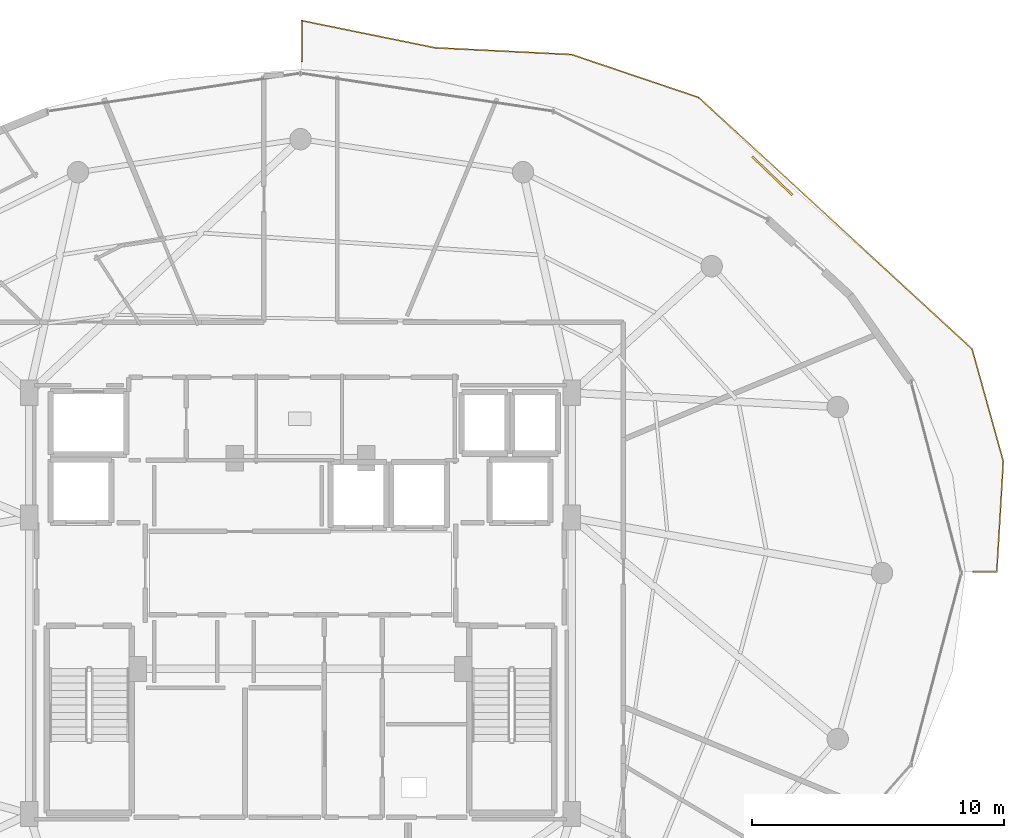
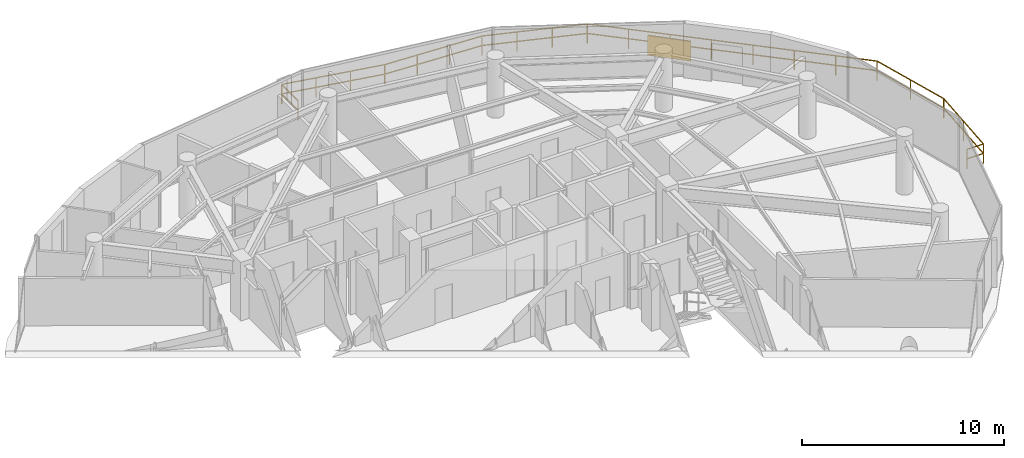
# One storey, part 29 of 30: 2 railings, 1 shading device.
"""IFC4 building model written with IfcOpenShell, lengths in metres."""

from ifc_helpers import new_model, si_unit, direction, frame, origin, origin_2d, place, context, subcontext, project, spatial, rectangle, extrude, material, type_object, element, save


model = new_model("IFC4")

# Units and contexts
model_context = context("Model", 3, precision=1e-05, world=origin(), true_north=direction((0.0, 1.0)))
body_context = subcontext(model_context, "Body", "Model", "MODEL_VIEW")
ifc_project = project(units=[si_unit("LENGTHUNIT", "METRE"), si_unit("AREAUNIT", "SQUARE_METRE"), si_unit("VOLUMEUNIT", "CUBIC_METRE"), si_unit("PLANEANGLEUNIT", "RADIAN"), si_unit("MASSUNIT", "GRAM", prefix="KILO")], contexts=[model_context])

# Site, building, storey
site_placement = place(None, origin())
site = spatial("IfcSite", under=ifc_project, at=site_placement, CompositionType="ELEMENT")
building_placement = place(site_placement, origin())
building = spatial("IfcBuilding", under=site, at=building_placement, Name="Vorneva Point Tower", CompositionType="ELEMENT")
storey_placement = place(building_placement, frame((0.0, 0.0, 252.0)))
storey = spatial("IfcBuildingStorey", under=building, at=storey_placement, Name="L68", CompositionType="ELEMENT", Elevation=252.0)

# Railings
ifc_material = material(Name="Pale anodised aluminium", Category="aluminium")
railing_type = type_object("IfcRailingType", Name="RL-BAL-1200", PredefinedType="BALUSTRADE", material=ifc_material)
railing_1_placement = place(storey_placement, frame((38.050048828125, 47.89990234375, 0.0)))
element("IfcRailing", 1, at=railing_1_placement, inside=storey, type_object=railing_type, Name="L68 Wave Balcony Balustrade NE.1", PredefinedType="BALUSTRADE", context=body_context, shape_type="SweptSolid", body=[
    extrude(rectangle(XDim=0.048095703125, YDim=0.048095703125, at=origin_2d()), frame((0.0, 0.0, 1.17578125), z_axis=(0.0, -1.0, 0.0), x_axis=(1.0, 0.0, 0.0)), (0.0, 0.0, 1.0), 1.622802734375),
    extrude(rectangle(XDim=0.048095703125, YDim=0.048095703125, at=origin_2d()), frame((0.0, 0.0, 0.60009765625), z_axis=(0.0, -1.0, 0.0), x_axis=(1.0, 0.0, 0.0)), (0.0, 0.0, 1.0), 1.622802734375),
    extrude(rectangle(XDim=0.0419921875, YDim=0.0419921875, at=origin_2d()), origin(), (0.0, 0.0, 1.0), 1.15185546875),
    extrude(rectangle(XDim=0.0419921875, YDim=0.0419921875, at=origin_2d()), frame((0.0, -1.622802734375, 0.0)), (0.0, 0.0, 1.0), 1.15185546875),
])
railing_2_placement = place(storey_placement, frame((64.666259765625, 26.050048828125, 0.0)))
element("IfcRailing", 2, at=railing_2_placement, inside=storey, type_object=railing_type, Name="L68 Wave Balcony Balustrade NE.2", PredefinedType="BALUSTRADE", context=body_context, shape_type="SweptSolid", body=[
    extrude(rectangle(XDim=0.048095703125, YDim=0.048095703125, at=origin_2d()), frame((0.0, 0.0, 1.17578125), z_axis=(1.0, 0.0, 0.0), x_axis=(0.0, 1.0, 0.0)), (0.0, 0.0, 1.0), 0.936767578125),
    extrude(rectangle(XDim=0.048095703125, YDim=0.048095703125, at=origin_2d()), frame((0.0, 0.0, 0.60009765625), z_axis=(1.0, 0.0, 0.0), x_axis=(0.0, 1.0, 0.0)), (0.0, 0.0, 1.0), 0.936767578125),
    extrude(rectangle(XDim=0.048095703125, YDim=0.048095703125, at=origin_2d()), frame((0.936767578125, 0.0, 1.17578125), z_axis=(0.059061709843, 0.998254333539, 0.0), x_axis=(-0.998254333539, 0.059061709843, 0.0)), (0.0, 0.0, 1.0), 4.381591796875),
    extrude(rectangle(XDim=0.048095703125, YDim=0.048095703125, at=origin_2d()), frame((0.936767578125, 0.0, 0.60009765625), z_axis=(0.059061709843, 0.998254333539, 0.0), x_axis=(-0.998254333539, 0.059061709843, 0.0)), (0.0, 0.0, 1.0), 4.381591796875),
    extrude(rectangle(XDim=0.048095703125, YDim=0.048095703125, at=origin_2d()), frame((1.195556640625, 4.3740234375, 1.17578125), z_axis=(-0.267706425434, 0.963500529207, 0.0), x_axis=(-0.963500529207, -0.267706425434, 0.0)), (0.0, 0.0, 1.0), 4.629150390625),
    extrude(rectangle(XDim=0.048095703125, YDim=0.048095703125, at=origin_2d()), frame((1.195556640625, 4.3740234375, 0.60009765625), z_axis=(-0.267706425434, 0.963500529207, 0.0), x_axis=(-0.963500529207, -0.267706425434, 0.0)), (0.0, 0.0, 1.0), 4.629150390625),
    extrude(rectangle(XDim=0.048095703125, YDim=0.048095703125, at=origin_2d()), frame((-0.043701171875, 8.834228515625, 1.17578125), z_axis=(-0.735988825116, 0.676993684833, 0.0), x_axis=(-0.676993684833, -0.735988825116, 0.0)), (0.0, 0.0, 1.0), 14.728271484375),
    extrude(rectangle(XDim=0.048095703125, YDim=0.048095703125, at=origin_2d()), frame((-0.043701171875, 8.834228515625, 0.60009765625), z_axis=(-0.735988825116, 0.676993684833, 0.0), x_axis=(-0.676993684833, -0.735988825116, 0.0)), (0.0, 0.0, 1.0), 14.728271484375),
    extrude(rectangle(XDim=0.048095703125, YDim=0.048095703125, at=origin_2d()), frame((-10.883544921875, 18.80517578125, 1.17578125), z_axis=(-0.947356664251, 0.320180184737, 0.0), x_axis=(-0.320180184737, -0.947356664251, 0.0)), (0.0, 0.0, 1.0), 5.314697265625),
    extrude(rectangle(XDim=0.048095703125, YDim=0.048095703125, at=origin_2d()), frame((-10.883544921875, 18.80517578125, 0.60009765625), z_axis=(-0.947356664251, 0.320180184737, 0.0), x_axis=(-0.320180184737, -0.947356664251, 0.0)), (0.0, 0.0, 1.0), 5.314697265625),
    extrude(rectangle(XDim=0.048095703125, YDim=0.048095703125, at=origin_2d()), frame((-15.91845703125, 20.5068359375, 1.17578125), z_axis=(-0.998772010445, 0.049542619549, 0.0), x_axis=(-0.049542619549, -0.998772010445, 0.0)), (0.0, 0.0, 1.0), 5.425537109375),
    extrude(rectangle(XDim=0.048095703125, YDim=0.048095703125, at=origin_2d()), frame((-15.91845703125, 20.5068359375, 0.60009765625), z_axis=(-0.998772010445, 0.049542619549, 0.0), x_axis=(-0.049542619549, -0.998772010445, 0.0)), (0.0, 0.0, 1.0), 5.425537109375),
    extrude(rectangle(XDim=0.048095703125, YDim=0.048095703125, at=origin_2d()), frame((-21.33740234375, 20.775634765625, 1.17578125), z_axis=(-0.979916253613, 0.199409467944, 0.0), x_axis=(-0.199409467944, -0.979916253613, 0.0)), (0.0, 0.0, 1.0), 5.386962890625),
    extrude(rectangle(XDim=0.048095703125, YDim=0.048095703125, at=origin_2d()), frame((-21.33740234375, 20.775634765625, 0.60009765625), z_axis=(-0.979916253613, 0.199409467944, 0.0), x_axis=(-0.199409467944, -0.979916253613, 0.0)), (0.0, 0.0, 1.0), 5.386962890625),
    extrude(rectangle(XDim=0.0419921875, YDim=0.0419921875, at=origin_2d()), origin(), (0.0, 0.0, 1.0), 1.15185546875),
    extrude(rectangle(XDim=0.0419921875, YDim=0.0419921875, at=origin_2d()), frame((0.936767578125, 0.0, 0.0)), (0.0, 0.0, 1.0), 1.15185546875),
    extrude(rectangle(XDim=0.0419921875, YDim=0.0419921875, at=origin_2d()), frame((1.066162109375, 2.18701171875, 0.0)), (0.0, 0.0, 1.0), 1.15185546875),
    extrude(rectangle(XDim=0.0419921875, YDim=0.0419921875, at=origin_2d()), frame((1.195556640625, 4.3740234375, 0.0)), (0.0, 0.0, 1.0), 1.15185546875),
    extrude(rectangle(XDim=0.0419921875, YDim=0.0419921875, at=origin_2d()), frame((0.575927734375, 6.60400390625, 0.0)), (0.0, 0.0, 1.0), 1.15185546875),
    extrude(rectangle(XDim=0.0419921875, YDim=0.0419921875, at=origin_2d()), frame((-0.043701171875, 8.834228515625, 0.0)), (0.0, 0.0, 1.0), 1.15185546875),
    extrude(rectangle(XDim=0.0419921875, YDim=0.0419921875, at=origin_2d()), frame((-1.59228515625, 10.258544921875, 0.0)), (0.0, 0.0, 1.0), 1.15185546875),
    extrude(rectangle(XDim=0.0419921875, YDim=0.0419921875, at=origin_2d()), frame((-3.140869140625, 11.68310546875, 0.0)), (0.0, 0.0, 1.0), 1.15185546875),
    extrude(rectangle(XDim=0.0419921875, YDim=0.0419921875, at=origin_2d()), frame((-4.689453125, 13.107421875, 0.0)), (0.0, 0.0, 1.0), 1.15185546875),
    extrude(rectangle(XDim=0.0419921875, YDim=0.0419921875, at=origin_2d()), frame((-6.23779296875, 14.531982421875, 0.0)), (0.0, 0.0, 1.0), 1.15185546875),
    extrude(rectangle(XDim=0.0419921875, YDim=0.0419921875, at=origin_2d()), frame((-7.786376953125, 15.956298828125, 0.0)), (0.0, 0.0, 1.0), 1.15185546875),
    extrude(rectangle(XDim=0.0419921875, YDim=0.0419921875, at=origin_2d()), frame((-9.3349609375, 17.380859375, 0.0)), (0.0, 0.0, 1.0), 1.15185546875),
    extrude(rectangle(XDim=0.0419921875, YDim=0.0419921875, at=origin_2d()), frame((-10.883544921875, 18.80517578125, 0.0)), (0.0, 0.0, 1.0), 1.15185546875),
    extrude(rectangle(XDim=0.0419921875, YDim=0.0419921875, at=origin_2d()), frame((-12.561767578125, 19.372314453125, 0.0)), (0.0, 0.0, 1.0), 1.15185546875),
    extrude(rectangle(XDim=0.0419921875, YDim=0.0419921875, at=origin_2d()), frame((-14.240234375, 19.939697265625, 0.0)), (0.0, 0.0, 1.0), 1.15185546875),
    extrude(rectangle(XDim=0.0419921875, YDim=0.0419921875, at=origin_2d()), frame((-15.91845703125, 20.5068359375, 0.0)), (0.0, 0.0, 1.0), 1.15185546875),
    extrude(rectangle(XDim=0.0419921875, YDim=0.0419921875, at=origin_2d()), frame((-17.724853515625, 20.596435546875, 0.0)), (0.0, 0.0, 1.0), 1.15185546875),
    extrude(rectangle(XDim=0.0419921875, YDim=0.0419921875, at=origin_2d()), frame((-19.531005859375, 20.68603515625, 0.0)), (0.0, 0.0, 1.0), 1.15185546875),
    extrude(rectangle(XDim=0.0419921875, YDim=0.0419921875, at=origin_2d()), frame((-21.33740234375, 20.775634765625, 0.0)), (0.0, 0.0, 1.0), 1.15185546875),
    extrude(rectangle(XDim=0.0419921875, YDim=0.0419921875, at=origin_2d()), frame((-23.096923828125, 21.1337890625, 0.0)), (0.0, 0.0, 1.0), 1.15185546875),
    extrude(rectangle(XDim=0.0419921875, YDim=0.0419921875, at=origin_2d()), frame((-24.856689453125, 21.49169921875, 0.0)), (0.0, 0.0, 1.0), 1.15185546875),
    extrude(rectangle(XDim=0.0419921875, YDim=0.0419921875, at=origin_2d()), frame((-26.6162109375, 21.849853515625, 0.0)), (0.0, 0.0, 1.0), 1.15185546875),
])

# Shading device
shading_device_type = type_object("IfcShadingDeviceType", Name="SHD-JAL-1200", PredefinedType="JALOUSIE", material=ifc_material)
shading_device_placement = place(storey_placement, frame((56.69775390625, 41.75146484375, -0.02001953125), z_axis=(0.0, 0.0, 1.0), x_axis=(-0.721131761714, 0.692797937531, 0.0)))
element("IfcShadingDevice", 3, at=shading_device_placement, inside=storey, type_object=shading_device_type, Name="L68 Balcony Vertical-Greenery Planter Screen NE.2", PredefinedType="JALOUSIE", context=body_context, shape_type="SweptSolid", body=[
    extrude(rectangle(XDim=2.199951171875, YDim=0.080078125, at=origin_2d()), origin(), (0.0, 0.0, 1.0), 1.199951171875),
])

save(model, "model.ifc")
